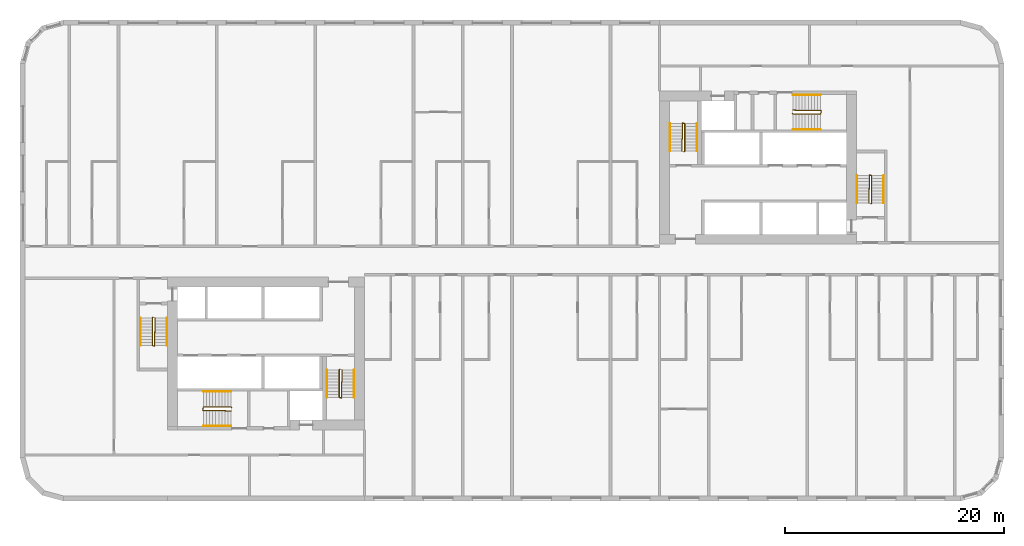
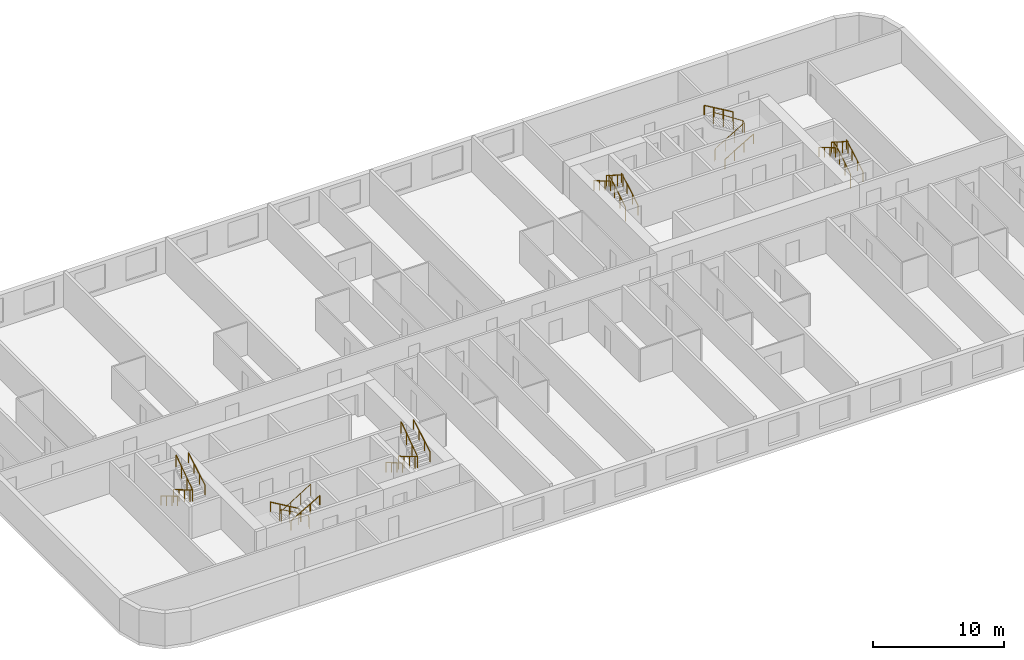
# One storey, part 12 of 12: 18 railings.
"""IFC4 building model written with IfcOpenShell, lengths in metres."""

from ifc_helpers import new_model, si_unit, direction, frame, origin, origin_2d, place, context, subcontext, project, spatial, circle, extrude, material, type_object, element, save


model = new_model("IFC4")

# Units and contexts
model_context = context("Model", 3, precision=1e-05, world=origin(), true_north=direction((0.0, 1.0)))
body_context = subcontext(model_context, "Body", "Model", "MODEL_VIEW")
ifc_project = project(units=[si_unit("LENGTHUNIT", "METRE"), si_unit("AREAUNIT", "SQUARE_METRE"), si_unit("VOLUMEUNIT", "CUBIC_METRE"), si_unit("PLANEANGLEUNIT", "RADIAN"), si_unit("MASSUNIT", "GRAM", prefix="KILO")], contexts=[model_context])

# Site, building, storey
site_placement = place(None, origin())
site = spatial("IfcSite", under=ifc_project, at=site_placement, CompositionType="ELEMENT")
building_placement = place(site_placement, origin())
building = spatial("IfcBuilding", under=site, at=building_placement, Name="Kajstack Hotel Tower", CompositionType="ELEMENT")
storey_placement = place(building_placement, frame((0.0, 0.0, 83.10009765625)))
storey = spatial("IfcBuildingStorey", under=building, at=storey_placement, Name="L16", CompositionType="ELEMENT", Elevation=83.10009765625)

# Railings
ifc_material = material(Name="Steel S355J2", Category="steel")
railing_type_1 = type_object("IfcRailingType", Name="Stair guard 1100", PredefinedType="GUARDRAIL", material=ifc_material)
railing_1_placement = place(storey_placement, frame((-32.85009765625, -5.199951171875, 0.0)))
element("IfcRailing", 1, at=railing_1_placement, inside=storey, type_object=railing_type_1, Name="L16 W1 stair guard 1", PredefinedType="GUARDRAIL", context=body_context, shape_type="SweptSolid", body=[
    extrude(circle(Radius=0.02392578125, at=origin_2d()), frame((0.0, 0.0, 1.076171875), z_axis=(-0.277797701265, -0.279159454702, 0.919183570361), x_axis=(0.708833529934, -0.705375805398, 0.0)), (0.0, 0.0, 1.0), 0.17919921875),
    extrude(circle(Radius=0.02392578125, at=origin_2d()), frame((-0.0498046875, -0.050048828125, 1.24072265625), z_axis=(0.0, -0.86152411907, 0.507716645641), x_axis=(1.0, 0.0, 0.0)), (0.0, 0.0, 1.0), 2.925048828125),
    extrude(circle(Radius=0.02392578125, at=origin_2d()), frame((-0.0498046875, -2.570068359375, 2.72607421875), z_axis=(0.970072785993, -0.242814311512, 0.0), x_axis=(0.242814311512, 0.970072785993, 0.0)), (0.0, 0.0, 1.0), 0.2060546875),
    extrude(circle(Radius=0.02392578125, at=origin_2d()), frame((0.150146484375, -2.6201171875, 2.72607421875), z_axis=(0.016385308676, 0.841405582595, 0.540155687962), x_axis=(-0.999810440751, 0.019470042781, 0.0)), (0.0, 0.0, 1.0), 3.054443359375),
    extrude(circle(Radius=0.02099609375, at=origin_2d()), origin(), (0.0, 0.0, 1.0), 1.052001953125),
    extrude(circle(Radius=0.02099609375, at=origin_2d()), frame((-0.0498046875, -0.050048828125, 0.164794921875)), (0.0, 0.0, 1.0), 1.052001953125),
    extrude(circle(Radius=0.02099609375, at=origin_2d()), frame((-0.0498046875, -0.89013671875, 0.659912109375)), (0.0, 0.0, 1.0), 1.052001953125),
    extrude(circle(Radius=0.02099609375, at=origin_2d()), frame((-0.0498046875, -1.72998046875, 1.15478515625)), (0.0, 0.0, 1.0), 1.052001953125),
    extrude(circle(Radius=0.02099609375, at=origin_2d()), frame((-0.0498046875, -2.570068359375, 1.64990234375)), (0.0, 0.0, 1.0), 1.052001953125),
    extrude(circle(Radius=0.02099609375, at=origin_2d()), frame((0.150146484375, -2.6201171875, 1.64990234375)), (0.0, 0.0, 1.0), 1.052001953125),
    extrude(circle(Radius=0.02099609375, at=origin_2d()), frame((0.166748046875, -1.763427734375, 2.199951171875)), (0.0, 0.0, 1.0), 1.052001953125),
    extrude(circle(Radius=0.02099609375, at=origin_2d()), frame((0.18359375, -0.90673828125, 2.749755859375)), (0.0, 0.0, 1.0), 1.052001953125),
    extrude(circle(Radius=0.02099609375, at=origin_2d()), frame((0.2001953125, -0.050048828125, 3.2998046875)), (0.0, 0.0, 1.0), 1.052001953125),
])
railing_2_placement = place(storey_placement, frame((-15.75, -9.949951171875, 0.0)))
element("IfcRailing", 2, at=railing_2_placement, inside=storey, type_object=railing_type_1, Name="L16 W2 stair guard 1", PredefinedType="GUARDRAIL", context=body_context, shape_type="SweptSolid", body=[
    extrude(circle(Radius=0.02392578125, at=origin_2d()), frame((0.0, 0.0, 1.076171875), z_axis=(-0.279053652268, -0.279053652268, 0.918835196492), x_axis=(0.707106781187, -0.707106781187, 0.0)), (0.0, 0.0, 1.0), 0.179443359375),
    extrude(circle(Radius=0.02392578125, at=origin_2d()), frame((-0.050048828125, -0.050048828125, 1.24072265625), z_axis=(0.0, -0.86152411907, 0.507716645641), x_axis=(1.0, 0.0, 0.0)), (0.0, 0.0, 1.0), 2.925048828125),
    extrude(circle(Radius=0.02392578125, at=origin_2d()), frame((-0.050048828125, -2.570068359375, 2.72607421875), z_axis=(0.970072785993, -0.242814311512, 0.0), x_axis=(0.242814311512, 0.970072785993, 0.0)), (0.0, 0.0, 1.0), 0.2060546875),
    extrude(circle(Radius=0.02392578125, at=origin_2d()), frame((0.14990234375, -2.6201171875, 2.72607421875), z_axis=(0.016385308676, 0.841405582595, 0.540155687962), x_axis=(-0.999810440751, 0.019470042781, 0.0)), (0.0, 0.0, 1.0), 3.054443359375),
    extrude(circle(Radius=0.02099609375, at=origin_2d()), origin(), (0.0, 0.0, 1.0), 1.052001953125),
    extrude(circle(Radius=0.02099609375, at=origin_2d()), frame((-0.050048828125, -0.050048828125, 0.164794921875)), (0.0, 0.0, 1.0), 1.052001953125),
    extrude(circle(Radius=0.02099609375, at=origin_2d()), frame((-0.050048828125, -0.89013671875, 0.659912109375)), (0.0, 0.0, 1.0), 1.052001953125),
    extrude(circle(Radius=0.02099609375, at=origin_2d()), frame((-0.050048828125, -1.72998046875, 1.15478515625)), (0.0, 0.0, 1.0), 1.052001953125),
    extrude(circle(Radius=0.02099609375, at=origin_2d()), frame((-0.050048828125, -2.570068359375, 1.64990234375)), (0.0, 0.0, 1.0), 1.052001953125),
    extrude(circle(Radius=0.02099609375, at=origin_2d()), frame((0.14990234375, -2.6201171875, 1.64990234375)), (0.0, 0.0, 1.0), 1.052001953125),
    extrude(circle(Radius=0.02099609375, at=origin_2d()), frame((0.16650390625, -1.763427734375, 2.199951171875)), (0.0, 0.0, 1.0), 1.052001953125),
    extrude(circle(Radius=0.02099609375, at=origin_2d()), frame((0.183349609375, -0.90673828125, 2.749755859375)), (0.0, 0.0, 1.0), 1.052001953125),
    extrude(circle(Radius=0.02099609375, at=origin_2d()), frame((0.199951171875, -0.050048828125, 3.2998046875)), (0.0, 0.0, 1.0), 1.052001953125),
])
railing_3_placement = place(storey_placement, frame((-25.64990234375, -13.449951171875, 0.0)))
element("IfcRailing", 3, at=railing_3_placement, inside=storey, type_object=railing_type_1, Name="L16 W3 stair guard 1", PredefinedType="GUARDRAIL", context=body_context, shape_type="SweptSolid", body=[
    extrude(circle(Radius=0.02392578125, at=origin_2d()), frame((0.0, 0.0, 1.076171875), z_axis=(-0.279053652268, 0.279053652268, 0.918835196492), x_axis=(-0.707106781187, -0.707106781187, 0.0)), (0.0, 0.0, 1.0), 0.179443359375),
    extrude(circle(Radius=0.02392578125, at=origin_2d()), frame((-0.050048828125, 0.050048828125, 1.24072265625), z_axis=(-0.86152411907, 0.0, 0.507716645641), x_axis=(0.0, -1.0, 0.0)), (0.0, 0.0, 1.0), 2.925048828125),
    extrude(circle(Radius=0.02392578125, at=origin_2d()), frame((-2.570068359375, 0.050048828125, 2.72607421875), z_axis=(-0.164529134168, -0.986372223864, 0.0), x_axis=(0.986372223864, -0.164529134168, 0.0)), (0.0, 0.0, 1.0), 0.30419921875),
    extrude(circle(Radius=0.02392578125, at=origin_2d()), frame((-2.6201171875, -0.25, 2.72607421875), z_axis=(0.841405582595, -0.016385308676, 0.540155687962), x_axis=(0.019470042781, 0.999810440751, 0.0)), (0.0, 0.0, 1.0), 3.054443359375),
    extrude(circle(Radius=0.02099609375, at=origin_2d()), origin(), (0.0, 0.0, 1.0), 1.052001953125),
    extrude(circle(Radius=0.02099609375, at=origin_2d()), frame((-0.050048828125, 0.050048828125, 0.164794921875)), (0.0, 0.0, 1.0), 1.052001953125),
    extrude(circle(Radius=0.02099609375, at=origin_2d()), frame((-0.89013671875, 0.050048828125, 0.659912109375)), (0.0, 0.0, 1.0), 1.052001953125),
    extrude(circle(Radius=0.02099609375, at=origin_2d()), frame((-1.72998046875, 0.050048828125, 1.15478515625)), (0.0, 0.0, 1.0), 1.052001953125),
    extrude(circle(Radius=0.02099609375, at=origin_2d()), frame((-2.570068359375, 0.050048828125, 1.64990234375)), (0.0, 0.0, 1.0), 1.052001953125),
    extrude(circle(Radius=0.02099609375, at=origin_2d()), frame((-2.6201171875, -0.25, 1.64990234375)), (0.0, 0.0, 1.0), 1.052001953125),
    extrude(circle(Radius=0.02099609375, at=origin_2d()), frame((-1.763427734375, -0.2666015625, 2.199951171875)), (0.0, 0.0, 1.0), 1.052001953125),
    extrude(circle(Radius=0.02099609375, at=origin_2d()), frame((-0.90673828125, -0.283447265625, 2.749755859375)), (0.0, 0.0, 1.0), 1.052001953125),
    extrude(circle(Radius=0.02099609375, at=origin_2d()), frame((-0.050048828125, -0.300048828125, 3.2998046875)), (0.0, 0.0, 1.0), 1.052001953125),
])
railing_4_placement = place(storey_placement, frame((32.85009765625, 5.199951171875, 0.0)))
element("IfcRailing", 4, at=railing_4_placement, inside=storey, type_object=railing_type_1, Name="L16 E1 stair guard 1", PredefinedType="GUARDRAIL", context=body_context, shape_type="SweptSolid", body=[
    extrude(circle(Radius=0.02392578125, at=origin_2d()), frame((0.0, 0.0, 1.076171875), z_axis=(0.277797701265, 0.279159454702, 0.919183570361), x_axis=(-0.708833529934, 0.705375805398, 0.0)), (0.0, 0.0, 1.0), 0.17919921875),
    extrude(circle(Radius=0.02392578125, at=origin_2d()), frame((0.0498046875, 0.050048828125, 1.24072265625), z_axis=(0.0, 0.86152411907, 0.507716645641), x_axis=(-1.0, 0.0, 0.0)), (0.0, 0.0, 1.0), 2.925048828125),
    extrude(circle(Radius=0.02392578125, at=origin_2d()), frame((0.0498046875, 2.570068359375, 2.72607421875), z_axis=(-0.970072785993, 0.242814311512, 0.0), x_axis=(-0.242814311512, -0.970072785993, 0.0)), (0.0, 0.0, 1.0), 0.2060546875),
    extrude(circle(Radius=0.02392578125, at=origin_2d()), frame((-0.150146484375, 2.6201171875, 2.72607421875), z_axis=(-0.016385308676, -0.841405582595, 0.540155687962), x_axis=(0.999810440751, -0.019470042781, 0.0)), (0.0, 0.0, 1.0), 3.054443359375),
    extrude(circle(Radius=0.02099609375, at=origin_2d()), origin(), (0.0, 0.0, 1.0), 1.052001953125),
    extrude(circle(Radius=0.02099609375, at=origin_2d()), frame((0.0498046875, 0.050048828125, 0.164794921875)), (0.0, 0.0, 1.0), 1.052001953125),
    extrude(circle(Radius=0.02099609375, at=origin_2d()), frame((0.0498046875, 0.89013671875, 0.659912109375)), (0.0, 0.0, 1.0), 1.052001953125),
    extrude(circle(Radius=0.02099609375, at=origin_2d()), frame((0.0498046875, 1.72998046875, 1.15478515625)), (0.0, 0.0, 1.0), 1.052001953125),
    extrude(circle(Radius=0.02099609375, at=origin_2d()), frame((0.0498046875, 2.570068359375, 1.64990234375)), (0.0, 0.0, 1.0), 1.052001953125),
    extrude(circle(Radius=0.02099609375, at=origin_2d()), frame((-0.150146484375, 2.6201171875, 1.64990234375)), (0.0, 0.0, 1.0), 1.052001953125),
    extrude(circle(Radius=0.02099609375, at=origin_2d()), frame((-0.166748046875, 1.763427734375, 2.199951171875)), (0.0, 0.0, 1.0), 1.052001953125),
    extrude(circle(Radius=0.02099609375, at=origin_2d()), frame((-0.18359375, 0.90673828125, 2.749755859375)), (0.0, 0.0, 1.0), 1.052001953125),
    extrude(circle(Radius=0.02099609375, at=origin_2d()), frame((-0.2001953125, 0.050048828125, 3.2998046875)), (0.0, 0.0, 1.0), 1.052001953125),
])
railing_5_placement = place(storey_placement, frame((15.75, 9.949951171875, 0.0)))
element("IfcRailing", 5, at=railing_5_placement, inside=storey, type_object=railing_type_1, Name="L16 E2 stair guard 1", PredefinedType="GUARDRAIL", context=body_context, shape_type="SweptSolid", body=[
    extrude(circle(Radius=0.02392578125, at=origin_2d()), frame((0.0, 0.0, 1.076171875), z_axis=(0.279053652268, 0.279053652268, 0.918835196492), x_axis=(-0.707106781187, 0.707106781187, 0.0)), (0.0, 0.0, 1.0), 0.179443359375),
    extrude(circle(Radius=0.02392578125, at=origin_2d()), frame((0.050048828125, 0.050048828125, 1.24072265625), z_axis=(0.0, 0.86152411907, 0.507716645641), x_axis=(-1.0, 0.0, 0.0)), (0.0, 0.0, 1.0), 2.925048828125),
    extrude(circle(Radius=0.02392578125, at=origin_2d()), frame((0.050048828125, 2.570068359375, 2.72607421875), z_axis=(-0.970072785993, 0.242814311512, 0.0), x_axis=(-0.242814311512, -0.970072785993, 0.0)), (0.0, 0.0, 1.0), 0.2060546875),
    extrude(circle(Radius=0.02392578125, at=origin_2d()), frame((-0.14990234375, 2.6201171875, 2.72607421875), z_axis=(-0.016385308676, -0.841405582595, 0.540155687962), x_axis=(0.999810440751, -0.019470042781, 0.0)), (0.0, 0.0, 1.0), 3.054443359375),
    extrude(circle(Radius=0.02099609375, at=origin_2d()), origin(), (0.0, 0.0, 1.0), 1.052001953125),
    extrude(circle(Radius=0.02099609375, at=origin_2d()), frame((0.050048828125, 0.050048828125, 0.164794921875)), (0.0, 0.0, 1.0), 1.052001953125),
    extrude(circle(Radius=0.02099609375, at=origin_2d()), frame((0.050048828125, 0.89013671875, 0.659912109375)), (0.0, 0.0, 1.0), 1.052001953125),
    extrude(circle(Radius=0.02099609375, at=origin_2d()), frame((0.050048828125, 1.72998046875, 1.15478515625)), (0.0, 0.0, 1.0), 1.052001953125),
    extrude(circle(Radius=0.02099609375, at=origin_2d()), frame((0.050048828125, 2.570068359375, 1.64990234375)), (0.0, 0.0, 1.0), 1.052001953125),
    extrude(circle(Radius=0.02099609375, at=origin_2d()), frame((-0.14990234375, 2.6201171875, 1.64990234375)), (0.0, 0.0, 1.0), 1.052001953125),
    extrude(circle(Radius=0.02099609375, at=origin_2d()), frame((-0.16650390625, 1.763427734375, 2.199951171875)), (0.0, 0.0, 1.0), 1.052001953125),
    extrude(circle(Radius=0.02099609375, at=origin_2d()), frame((-0.183349609375, 0.90673828125, 2.749755859375)), (0.0, 0.0, 1.0), 1.052001953125),
    extrude(circle(Radius=0.02099609375, at=origin_2d()), frame((-0.199951171875, 0.050048828125, 3.2998046875)), (0.0, 0.0, 1.0), 1.052001953125),
])
railing_6_placement = place(storey_placement, frame((25.64990234375, 13.449951171875, 0.0)))
element("IfcRailing", 6, at=railing_6_placement, inside=storey, type_object=railing_type_1, Name="L16 E3 stair guard 1", PredefinedType="GUARDRAIL", context=body_context, shape_type="SweptSolid", body=[
    extrude(circle(Radius=0.02392578125, at=origin_2d()), frame((0.0, 0.0, 1.076171875), z_axis=(0.279053652268, -0.279053652268, 0.918835196492), x_axis=(0.707106781187, 0.707106781187, 0.0)), (0.0, 0.0, 1.0), 0.179443359375),
    extrude(circle(Radius=0.02392578125, at=origin_2d()), frame((0.050048828125, -0.050048828125, 1.24072265625), z_axis=(0.86152411907, 0.0, 0.507716645641), x_axis=(0.0, 1.0, 0.0)), (0.0, 0.0, 1.0), 2.925048828125),
    extrude(circle(Radius=0.02392578125, at=origin_2d()), frame((2.570068359375, -0.050048828125, 2.72607421875), z_axis=(0.164529134168, 0.986372223864, 0.0), x_axis=(-0.986372223864, 0.164529134168, 0.0)), (0.0, 0.0, 1.0), 0.30419921875),
    extrude(circle(Radius=0.02392578125, at=origin_2d()), frame((2.6201171875, 0.25, 2.72607421875), z_axis=(-0.841405582595, 0.016385308676, 0.540155687962), x_axis=(-0.019470042781, -0.999810440751, 0.0)), (0.0, 0.0, 1.0), 3.054443359375),
    extrude(circle(Radius=0.02099609375, at=origin_2d()), origin(), (0.0, 0.0, 1.0), 1.052001953125),
    extrude(circle(Radius=0.02099609375, at=origin_2d()), frame((0.050048828125, -0.050048828125, 0.164794921875)), (0.0, 0.0, 1.0), 1.052001953125),
    extrude(circle(Radius=0.02099609375, at=origin_2d()), frame((0.89013671875, -0.050048828125, 0.659912109375)), (0.0, 0.0, 1.0), 1.052001953125),
    extrude(circle(Radius=0.02099609375, at=origin_2d()), frame((1.72998046875, -0.050048828125, 1.15478515625)), (0.0, 0.0, 1.0), 1.052001953125),
    extrude(circle(Radius=0.02099609375, at=origin_2d()), frame((2.570068359375, -0.050048828125, 1.64990234375)), (0.0, 0.0, 1.0), 1.052001953125),
    extrude(circle(Radius=0.02099609375, at=origin_2d()), frame((2.6201171875, 0.25, 1.64990234375)), (0.0, 0.0, 1.0), 1.052001953125),
    extrude(circle(Radius=0.02099609375, at=origin_2d()), frame((1.763427734375, 0.2666015625, 2.199951171875)), (0.0, 0.0, 1.0), 1.052001953125),
    extrude(circle(Radius=0.02099609375, at=origin_2d()), frame((0.90673828125, 0.283447265625, 2.749755859375)), (0.0, 0.0, 1.0), 1.052001953125),
    extrude(circle(Radius=0.02099609375, at=origin_2d()), frame((0.050048828125, 0.300048828125, 3.2998046875)), (0.0, 0.0, 1.0), 1.052001953125),
])
railing_type_2 = type_object("IfcRailingType", Name="Stair handrail 900", PredefinedType="HANDRAIL", material=ifc_material)
railing_7_placement = place(storey_placement, frame((-34.0, -5.25, 0.164794921875)))
element("IfcRailing", 7, at=railing_7_placement, inside=storey, type_object=railing_type_2, Name="L16 W1 stair handrail 1", PredefinedType="HANDRAIL", context=body_context, shape_type="SweptSolid", body=[
    extrude(circle(Radius=0.02392578125, at=origin_2d()), frame((0.0, 0.0, 0.8759765625), z_axis=(0.0, -0.86152411907, 0.507716645641), x_axis=(1.0, 0.0, 0.0)), (0.0, 0.0, 1.0), 2.925048828125),
    extrude(circle(Radius=0.02099609375, at=origin_2d()), origin(), (0.0, 0.0, 1.0), 0.851806640625),
    extrude(circle(Radius=0.02099609375, at=origin_2d()), frame((0.0, -0.840087890625, 0.4951171875)), (0.0, 0.0, 1.0), 0.851806640625),
    extrude(circle(Radius=0.02099609375, at=origin_2d()), frame((0.0, -1.679931640625, 0.989990234375)), (0.0, 0.0, 1.0), 0.851806640625),
    extrude(circle(Radius=0.02099609375, at=origin_2d()), frame((0.0, -2.52001953125, 1.485107421875)), (0.0, 0.0, 1.0), 0.851806640625),
])
railing_8_placement = place(storey_placement, frame((-31.550048828125, -7.77001953125, 1.81494140625)))
element("IfcRailing", 8, at=railing_8_placement, inside=storey, type_object=railing_type_2, Name="L16 W1 stair handrail 2", PredefinedType="HANDRAIL", context=body_context, shape_type="SweptSolid", body=[
    extrude(circle(Radius=0.02392578125, at=origin_2d()), frame((0.0, 0.0, 0.8759765625), z_axis=(0.0, 0.861560626758, 0.507654692109), x_axis=(-1.0, 0.0, 0.0)), (0.0, 0.0, 1.0), 2.925048828125),
    extrude(circle(Radius=0.02099609375, at=origin_2d()), origin(), (0.0, 0.0, 1.0), 0.851806640625),
    extrude(circle(Radius=0.02099609375, at=origin_2d()), frame((0.0, 0.840087890625, 0.494873046875)), (0.0, 0.0, 1.0), 0.851806640625),
    extrude(circle(Radius=0.02099609375, at=origin_2d()), frame((0.0, 1.679931640625, 0.989990234375)), (0.0, 0.0, 1.0), 0.851806640625),
    extrude(circle(Radius=0.02099609375, at=origin_2d()), frame((0.0, 2.52001953125, 1.48486328125)), (0.0, 0.0, 1.0), 0.851806640625),
])
railing_9_placement = place(storey_placement, frame((-16.89990234375, -10.0, 0.164794921875)))
element("IfcRailing", 9, at=railing_9_placement, inside=storey, type_object=railing_type_2, Name="L16 W2 stair handrail 1", PredefinedType="HANDRAIL", context=body_context, shape_type="SweptSolid", body=[
    extrude(circle(Radius=0.02392578125, at=origin_2d()), frame((0.0, 0.0, 0.8759765625), z_axis=(0.0, -0.86152411907, 0.507716645641), x_axis=(1.0, 0.0, 0.0)), (0.0, 0.0, 1.0), 2.925048828125),
    extrude(circle(Radius=0.02099609375, at=origin_2d()), origin(), (0.0, 0.0, 1.0), 0.851806640625),
    extrude(circle(Radius=0.02099609375, at=origin_2d()), frame((0.0, -0.840087890625, 0.4951171875)), (0.0, 0.0, 1.0), 0.851806640625),
    extrude(circle(Radius=0.02099609375, at=origin_2d()), frame((0.0, -1.679931640625, 0.989990234375)), (0.0, 0.0, 1.0), 0.851806640625),
    extrude(circle(Radius=0.02099609375, at=origin_2d()), frame((0.0, -2.52001953125, 1.485107421875)), (0.0, 0.0, 1.0), 0.851806640625),
])
railing_10_placement = place(storey_placement, frame((-14.449951171875, -12.52001953125, 1.81494140625)))
element("IfcRailing", 10, at=railing_10_placement, inside=storey, type_object=railing_type_2, Name="L16 W2 stair handrail 2", PredefinedType="HANDRAIL", context=body_context, shape_type="SweptSolid", body=[
    extrude(circle(Radius=0.02392578125, at=origin_2d()), frame((0.0, 0.0, 0.8759765625), z_axis=(0.0, 0.861560626758, 0.507654692109), x_axis=(-1.0, 0.0, 0.0)), (0.0, 0.0, 1.0), 2.925048828125),
    extrude(circle(Radius=0.02099609375, at=origin_2d()), origin(), (0.0, 0.0, 1.0), 0.851806640625),
    extrude(circle(Radius=0.02099609375, at=origin_2d()), frame((0.0, 0.840087890625, 0.494873046875)), (0.0, 0.0, 1.0), 0.851806640625),
    extrude(circle(Radius=0.02099609375, at=origin_2d()), frame((0.0, 1.679931640625, 0.989990234375)), (0.0, 0.0, 1.0), 0.851806640625),
    extrude(circle(Radius=0.02099609375, at=origin_2d()), frame((0.0, 2.52001953125, 1.48486328125)), (0.0, 0.0, 1.0), 0.851806640625),
])
railing_11_placement = place(storey_placement, frame((-25.699951171875, -12.0, 0.164794921875)))
element("IfcRailing", 11, at=railing_11_placement, inside=storey, type_object=railing_type_2, Name="L16 W3 stair handrail 1", PredefinedType="HANDRAIL", context=body_context, shape_type="SweptSolid", body=[
    extrude(circle(Radius=0.02392578125, at=origin_2d()), frame((0.0, 0.0, 0.8759765625), z_axis=(-0.86152411907, 0.0, 0.507716645641), x_axis=(0.0, -1.0, 0.0)), (0.0, 0.0, 1.0), 2.925048828125),
    extrude(circle(Radius=0.02099609375, at=origin_2d()), origin(), (0.0, 0.0, 1.0), 0.851806640625),
    extrude(circle(Radius=0.02099609375, at=origin_2d()), frame((-0.840087890625, 0.0, 0.4951171875)), (0.0, 0.0, 1.0), 0.851806640625),
    extrude(circle(Radius=0.02099609375, at=origin_2d()), frame((-1.679931640625, 0.0, 0.989990234375)), (0.0, 0.0, 1.0), 0.851806640625),
    extrude(circle(Radius=0.02099609375, at=origin_2d()), frame((-2.52001953125, 0.0, 1.485107421875)), (0.0, 0.0, 1.0), 0.851806640625),
])
railing_12_placement = place(storey_placement, frame((-28.219970703125, -15.14990234375, 1.81494140625)))
element("IfcRailing", 12, at=railing_12_placement, inside=storey, type_object=railing_type_2, Name="L16 W3 stair handrail 2", PredefinedType="HANDRAIL", context=body_context, shape_type="SweptSolid", body=[
    extrude(circle(Radius=0.02392578125, at=origin_2d()), frame((0.0, 0.0, 0.8759765625), z_axis=(0.861560626758, 0.0, 0.507654692109), x_axis=(0.0, 1.0, 0.0)), (0.0, 0.0, 1.0), 2.925048828125),
    extrude(circle(Radius=0.02099609375, at=origin_2d()), origin(), (0.0, 0.0, 1.0), 0.851806640625),
    extrude(circle(Radius=0.02099609375, at=origin_2d()), frame((0.840087890625, 0.0, 0.494873046875)), (0.0, 0.0, 1.0), 0.851806640625),
    extrude(circle(Radius=0.02099609375, at=origin_2d()), frame((1.679931640625, 0.0, 0.989990234375)), (0.0, 0.0, 1.0), 0.851806640625),
    extrude(circle(Radius=0.02099609375, at=origin_2d()), frame((2.52001953125, 0.0, 1.48486328125)), (0.0, 0.0, 1.0), 0.851806640625),
])
railing_13_placement = place(storey_placement, frame((34.0, 5.25, 0.164794921875)))
element("IfcRailing", 13, at=railing_13_placement, inside=storey, type_object=railing_type_2, Name="L16 E1 stair handrail 1", PredefinedType="HANDRAIL", context=body_context, shape_type="SweptSolid", body=[
    extrude(circle(Radius=0.02392578125, at=origin_2d()), frame((0.0, 0.0, 0.8759765625), z_axis=(0.0, 0.86152411907, 0.507716645641), x_axis=(-1.0, 0.0, 0.0)), (0.0, 0.0, 1.0), 2.925048828125),
    extrude(circle(Radius=0.02099609375, at=origin_2d()), origin(), (0.0, 0.0, 1.0), 0.851806640625),
    extrude(circle(Radius=0.02099609375, at=origin_2d()), frame((0.0, 0.840087890625, 0.4951171875)), (0.0, 0.0, 1.0), 0.851806640625),
    extrude(circle(Radius=0.02099609375, at=origin_2d()), frame((0.0, 1.679931640625, 0.989990234375)), (0.0, 0.0, 1.0), 0.851806640625),
    extrude(circle(Radius=0.02099609375, at=origin_2d()), frame((0.0, 2.52001953125, 1.485107421875)), (0.0, 0.0, 1.0), 0.851806640625),
])
railing_14_placement = place(storey_placement, frame((31.550048828125, 7.77001953125, 1.81494140625)))
element("IfcRailing", 14, at=railing_14_placement, inside=storey, type_object=railing_type_2, Name="L16 E1 stair handrail 2", PredefinedType="HANDRAIL", context=body_context, shape_type="SweptSolid", body=[
    extrude(circle(Radius=0.02392578125, at=origin_2d()), frame((0.0, 0.0, 0.8759765625), z_axis=(0.0, -0.861560626758, 0.507654692109), x_axis=(1.0, 0.0, 0.0)), (0.0, 0.0, 1.0), 2.925048828125),
    extrude(circle(Radius=0.02099609375, at=origin_2d()), origin(), (0.0, 0.0, 1.0), 0.851806640625),
    extrude(circle(Radius=0.02099609375, at=origin_2d()), frame((0.0, -0.840087890625, 0.494873046875)), (0.0, 0.0, 1.0), 0.851806640625),
    extrude(circle(Radius=0.02099609375, at=origin_2d()), frame((0.0, -1.679931640625, 0.989990234375)), (0.0, 0.0, 1.0), 0.851806640625),
    extrude(circle(Radius=0.02099609375, at=origin_2d()), frame((0.0, -2.52001953125, 1.48486328125)), (0.0, 0.0, 1.0), 0.851806640625),
])
railing_15_placement = place(storey_placement, frame((16.89990234375, 10.0, 0.164794921875)))
element("IfcRailing", 15, at=railing_15_placement, inside=storey, type_object=railing_type_2, Name="L16 E2 stair handrail 1", PredefinedType="HANDRAIL", context=body_context, shape_type="SweptSolid", body=[
    extrude(circle(Radius=0.02392578125, at=origin_2d()), frame((0.0, 0.0, 0.8759765625), z_axis=(0.0, 0.86152411907, 0.507716645641), x_axis=(-1.0, 0.0, 0.0)), (0.0, 0.0, 1.0), 2.925048828125),
    extrude(circle(Radius=0.02099609375, at=origin_2d()), origin(), (0.0, 0.0, 1.0), 0.851806640625),
    extrude(circle(Radius=0.02099609375, at=origin_2d()), frame((0.0, 0.840087890625, 0.4951171875)), (0.0, 0.0, 1.0), 0.851806640625),
    extrude(circle(Radius=0.02099609375, at=origin_2d()), frame((0.0, 1.679931640625, 0.989990234375)), (0.0, 0.0, 1.0), 0.851806640625),
    extrude(circle(Radius=0.02099609375, at=origin_2d()), frame((0.0, 2.52001953125, 1.485107421875)), (0.0, 0.0, 1.0), 0.851806640625),
])
railing_16_placement = place(storey_placement, frame((14.449951171875, 12.52001953125, 1.81494140625)))
element("IfcRailing", 16, at=railing_16_placement, inside=storey, type_object=railing_type_2, Name="L16 E2 stair handrail 2", PredefinedType="HANDRAIL", context=body_context, shape_type="SweptSolid", body=[
    extrude(circle(Radius=0.02392578125, at=origin_2d()), frame((0.0, 0.0, 0.8759765625), z_axis=(0.0, -0.861560626758, 0.507654692109), x_axis=(1.0, 0.0, 0.0)), (0.0, 0.0, 1.0), 2.925048828125),
    extrude(circle(Radius=0.02099609375, at=origin_2d()), origin(), (0.0, 0.0, 1.0), 0.851806640625),
    extrude(circle(Radius=0.02099609375, at=origin_2d()), frame((0.0, -0.840087890625, 0.494873046875)), (0.0, 0.0, 1.0), 0.851806640625),
    extrude(circle(Radius=0.02099609375, at=origin_2d()), frame((0.0, -1.679931640625, 0.989990234375)), (0.0, 0.0, 1.0), 0.851806640625),
    extrude(circle(Radius=0.02099609375, at=origin_2d()), frame((0.0, -2.52001953125, 1.48486328125)), (0.0, 0.0, 1.0), 0.851806640625),
])
railing_17_placement = place(storey_placement, frame((25.699951171875, 12.0, 0.164794921875)))
element("IfcRailing", 17, at=railing_17_placement, inside=storey, type_object=railing_type_2, Name="L16 E3 stair handrail 1", PredefinedType="HANDRAIL", context=body_context, shape_type="SweptSolid", body=[
    extrude(circle(Radius=0.02392578125, at=origin_2d()), frame((0.0, 0.0, 0.8759765625), z_axis=(0.86152411907, 0.0, 0.507716645641), x_axis=(0.0, 1.0, 0.0)), (0.0, 0.0, 1.0), 2.925048828125),
    extrude(circle(Radius=0.02099609375, at=origin_2d()), origin(), (0.0, 0.0, 1.0), 0.851806640625),
    extrude(circle(Radius=0.02099609375, at=origin_2d()), frame((0.840087890625, 0.0, 0.4951171875)), (0.0, 0.0, 1.0), 0.851806640625),
    extrude(circle(Radius=0.02099609375, at=origin_2d()), frame((1.679931640625, 0.0, 0.989990234375)), (0.0, 0.0, 1.0), 0.851806640625),
    extrude(circle(Radius=0.02099609375, at=origin_2d()), frame((2.52001953125, 0.0, 1.485107421875)), (0.0, 0.0, 1.0), 0.851806640625),
])
railing_18_placement = place(storey_placement, frame((28.219970703125, 15.14990234375, 1.81494140625)))
element("IfcRailing", 18, at=railing_18_placement, inside=storey, type_object=railing_type_2, Name="L16 E3 stair handrail 2", PredefinedType="HANDRAIL", context=body_context, shape_type="SweptSolid", body=[
    extrude(circle(Radius=0.02392578125, at=origin_2d()), frame((0.0, 0.0, 0.8759765625), z_axis=(-0.861560626758, 0.0, 0.507654692109), x_axis=(0.0, -1.0, 0.0)), (0.0, 0.0, 1.0), 2.925048828125),
    extrude(circle(Radius=0.02099609375, at=origin_2d()), origin(), (0.0, 0.0, 1.0), 0.851806640625),
    extrude(circle(Radius=0.02099609375, at=origin_2d()), frame((-0.840087890625, 0.0, 0.494873046875)), (0.0, 0.0, 1.0), 0.851806640625),
    extrude(circle(Radius=0.02099609375, at=origin_2d()), frame((-1.679931640625, 0.0, 0.989990234375)), (0.0, 0.0, 1.0), 0.851806640625),
    extrude(circle(Radius=0.02099609375, at=origin_2d()), frame((-2.52001953125, 0.0, 1.48486328125)), (0.0, 0.0, 1.0), 0.851806640625),
])

save(model, "model.ifc")
